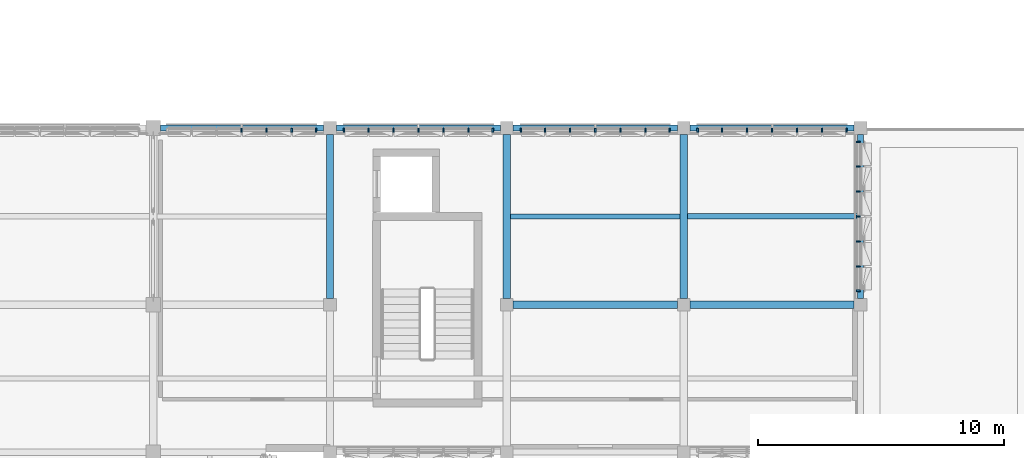
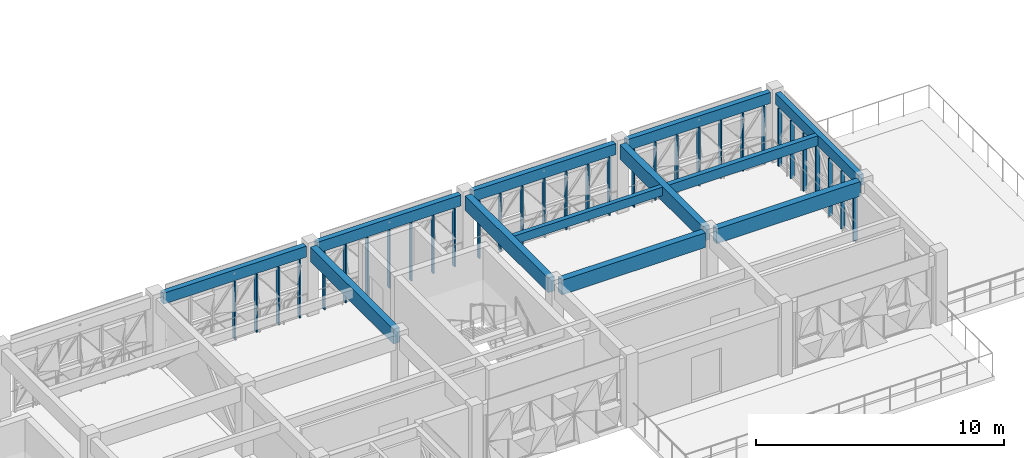
# One storey, part 8 of 74: 32 members, 12 beams, 5 elements without a shape of their own.
"""IFC4 building model written with IfcOpenShell, lengths in metres."""

from ifc_helpers import new_model, si_unit, direction, frame, origin, origin_2d, place, context, subcontext, project, spatial, rectangle, extrude, material, material_profile, profile_set, type_object, element, aggregate, save


model = new_model("IFC4")

# Units and contexts
model_context = context("Model", 3, precision=1e-05, world=origin(), true_north=direction((0.0, 1.0)))
body_context = subcontext(model_context, "Body", "Model", "MODEL_VIEW")
ifc_project = project(units=[si_unit("LENGTHUNIT", "METRE"), si_unit("AREAUNIT", "SQUARE_METRE"), si_unit("VOLUMEUNIT", "CUBIC_METRE"), si_unit("PLANEANGLEUNIT", "RADIAN"), si_unit("MASSUNIT", "GRAM", prefix="KILO")], contexts=[model_context])

# Site, building, storey
site_placement = place(None, origin())
site = spatial("IfcSite", under=ifc_project, at=site_placement, CompositionType="ELEMENT")
building_placement = place(site_placement, origin())
building = spatial("IfcBuilding", under=site, at=building_placement, Name="Alvorim Cloister Faculty of Sciences", CompositionType="ELEMENT")
storey_placement = place(building_placement, frame((0.0, 0.0, 15.75)))
storey = spatial("IfcBuildingStorey", under=building, at=storey_placement, Name="L04", CompositionType="ELEMENT", Elevation=15.75)

# Beams
ifc_material_1 = material(Name="Glulam GL32h", Category="wood")
ifc_material_profile_1 = material_profile(ifc_material_1, rectangle(XDim=0.300048828125, YDim=0.719970703125, at=origin_2d()), Name="GL32-BM-300x720")
ifc_profile_set_1 = profile_set([ifc_material_profile_1], Name="Glulam GL32h")
beam_type_1 = type_object("IfcBeamType", Name="BM-GL-300x720", PredefinedType="BEAM", material=ifc_profile_set_1)
beam_1_placement = place(storey_placement, frame((43.4599609375, 49.199951171875, 3.030029296875), z_axis=(1.0, 0.0, 0.0), x_axis=(0.0, 1.0, 0.0)))
element("IfcBeam", 1, at=beam_1_placement, inside=storey, type_object=beam_type_1, Name="L04 Primary Beam BM-1764", PredefinedType="BEAM", context=body_context, shape_type="SweptSolid", body=[
    extrude(rectangle(XDim=0.300048828125, YDim=0.719970703125, at=origin_2d()), origin(), (0.0, 0.0, 1.0), 6.679931640625),
])
beam_2_placement = place(storey_placement, frame((50.659912109375, 49.199951171875, 3.030029296875), z_axis=(1.0, 0.0, 0.0), x_axis=(0.0, 1.0, 0.0)))
element("IfcBeam", 2, at=beam_2_placement, inside=storey, type_object=beam_type_1, Name="L04 Primary Beam BM-1765", PredefinedType="BEAM", context=body_context, shape_type="SweptSolid", body=[
    extrude(rectangle(XDim=0.300048828125, YDim=0.719970703125, at=origin_2d()), origin(), (0.0, 0.0, 1.0), 6.68017578125),
])
for number, where, z_axis, x_axis, name in (
    (3, (36.0, 49.4599609375, 3.030029296875), (0.0, 1.0, 0.0), (-1.0, 0.0, 0.0), "L04 Primary Girder BM-1856"),
    (4, (43.199951171875, 49.4599609375, 3.030029296875), (0.0, 1.0, 0.0), (-1.0, 0.0, 0.0), "L04 Primary Girder BM-1858"),
    (5, (50.39990234375, 49.4599609375, 3.030029296875), (0.0, 1.0, 0.0), (-1.0, 0.0, 0.0), "L04 Primary Girder BM-1860"),
):
    element("IfcBeam", number, at=place(storey_placement, frame(where, z_axis=z_axis, x_axis=x_axis)), inside=storey, type_object=beam_type_1, Name=name, PredefinedType="BEAM", context=body_context, shape_type="SweptSolid", body=[
        extrude(rectangle(XDim=0.300048828125, YDim=0.719970703125, at=origin_2d()), origin(), (0.0, 0.0, 1.0), 6.679931640625),
    ])
ifc_material_2 = material(Name="Glulam GL28h", Category="wood")
ifc_material_profile_2 = material_profile(ifc_material_2, rectangle(XDim=0.199951171875, YDim=0.419921875, at=origin_2d()), Name="GL28-JST-200x420")
ifc_profile_set_2 = profile_set([ifc_material_profile_2], Name="Glulam GL28h")
beam_type_2 = type_object("IfcBeamType", Name="BM-JST-GL-200x420", PredefinedType="JOIST", material=ifc_profile_set_2)
beam_3_placement = place(storey_placement, frame((43.35009765625, 52.800048828125, 3.179931640625), z_axis=(1.0, 0.0, 0.0), x_axis=(0.0, 1.0, 0.0)))
element("IfcBeam", 6, at=beam_3_placement, inside=storey, type_object=beam_type_2, Name="L04 Secondary Floor Joist BM-1934", PredefinedType="JOIST", context=body_context, shape_type="SweptSolid", body=[
    extrude(rectangle(XDim=0.199951171875, YDim=0.419921875, at=origin_2d()), origin(), (0.0, 0.0, 1.0), 6.89990234375),
])
ifc_material_profile_3 = material_profile(ifc_material_2, rectangle(XDim=0.219970703125, YDim=0.47998046875, at=origin_2d()), Name="GL28-JST-220x480")
ifc_profile_set_3 = profile_set([ifc_material_profile_3], Name="Glulam GL28h")
beam_type_3 = type_object("IfcBeamType", Name="BM-JST-GL-220x480", PredefinedType="JOIST", material=ifc_profile_set_3)
beam_4_placement = place(storey_placement, frame((50.550048828125, 52.800048828125, 3.14990234375), z_axis=(1.0, 0.0, 0.0), x_axis=(0.0, 1.0, 0.0)))
element("IfcBeam", 7, at=beam_4_placement, inside=storey, type_object=beam_type_3, Name="L04 Secondary Floor Joist BM-1936", PredefinedType="JOIST", context=body_context, shape_type="SweptSolid", body=[
    extrude(rectangle(XDim=0.219970703125, YDim=0.47998046875, at=origin_2d()), origin(), (0.0, 0.0, 1.0), 6.929931640625),
])
ifc_material_profile_4 = material_profile(ifc_material_2, rectangle(XDim=0.239990234375, YDim=0.5400390625, at=origin_2d()), Name="GL28-SPD-240x540")
ifc_profile_set_4 = profile_set([ifc_material_profile_4], Name="Glulam GL28h")
beam_type_4 = type_object("IfcBeamType", Name="BM-SPD-GL-240x540", PredefinedType="SPANDREL", material=ifc_profile_set_4)
beam_5_placement = place(storey_placement, frame((29.10009765625, 56.39990234375, 3.1201171875), z_axis=(1.0, 0.0, 0.0), x_axis=(0.0, 1.0, 0.0)))
element("IfcBeam", 8, at=beam_5_placement, inside=storey, type_object=beam_type_4, Name="L04 Primary Beam BM-1767", PredefinedType="SPANDREL", context=body_context, shape_type="SweptSolid", body=[
    extrude(rectangle(XDim=0.239990234375, YDim=0.5400390625, at=origin_2d()), origin(), (0.0, 0.0, 1.0), 6.639892578125),
])
for number, where, z_axis, x_axis, name in (
    (9, (36.260009765625, 56.39990234375, 3.1201171875), (1.0, 0.0, 0.0), (0.0, 1.0, 0.0), "L04 Primary Beam BM-1768"),
    (10, (43.4599609375, 56.39990234375, 3.1201171875), (1.0, 0.0, 0.0), (0.0, 1.0, 0.0), "L04 Primary Beam BM-1769"),
):
    element("IfcBeam", number, at=place(storey_placement, frame(where, z_axis=z_axis, x_axis=x_axis)), inside=storey, type_object=beam_type_4, Name=name, PredefinedType="SPANDREL", context=body_context, shape_type="SweptSolid", body=[
        extrude(rectangle(XDim=0.239990234375, YDim=0.5400390625, at=origin_2d()), origin(), (0.0, 0.0, 1.0), 6.679931640625),
    ])
beam_6_placement = place(storey_placement, frame((50.659912109375, 56.39990234375, 3.1201171875), z_axis=(1.0, 0.0, 0.0), x_axis=(0.0, 1.0, 0.0)))
element("IfcBeam", 11, at=beam_6_placement, inside=storey, type_object=beam_type_4, Name="L04 Primary Beam BM-1770", PredefinedType="SPANDREL", context=body_context, shape_type="SweptSolid", body=[
    extrude(rectangle(XDim=0.239990234375, YDim=0.5400390625, at=origin_2d()), origin(), (0.0, 0.0, 1.0), 6.68017578125),
])
beam_7_placement = place(storey_placement, frame((57.60009765625, 49.4599609375, 3.1201171875), z_axis=(0.0, 1.0, 0.0), x_axis=(-1.0, 0.0, 0.0)))
element("IfcBeam", 12, at=beam_7_placement, inside=storey, type_object=beam_type_4, Name="L04 Primary Girder BM-1862", PredefinedType="SPANDREL", context=body_context, shape_type="SweptSolid", body=[
    extrude(rectangle(XDim=0.239990234375, YDim=0.5400390625, at=origin_2d()), origin(), (0.0, 0.0, 1.0), 6.679931640625),
])

# Curtain wall, members
ifc_material_3 = material(Name="Aluminium and Low-E Glass Curtain Wall", Category="aluminium")
curtain_wall_type = type_object("IfcCurtainWallType", Name="CW-TRI-6120x2850", PredefinedType="USERDEFINED", material=ifc_material_3)
curtain_wall_1_placement = place(storey_placement, origin())
curtain_wall_1 = element("IfcCurtainWall", 13, at=curtain_wall_1_placement, inside=storey, type_object=curtain_wall_type, Name="L04 Diagonal Cassette Curtain Wall CW-0190", ObjectType="UNITISED CURTAIN WALL", PredefinedType="USERDEFINED")
ifc_material_4 = material(Name="Aluminium Alloy 6063-T6", Category="aluminium")
ifc_material_profile_5 = material_profile(ifc_material_4, rectangle(XDim=0.06494140625, YDim=0.179931640625, at=origin_2d()), Name="ALU-MUL-65x180")
ifc_profile_set_5 = profile_set([ifc_material_profile_5], Name="Aluminium Alloy 6063-T6")
member_type = type_object("IfcMemberType", Name="CW-MUL-65x180", PredefinedType="MULLION", material=ifc_profile_set_5)
member_1_placement = place(storey_placement, frame((32.39990234375, 56.31005859375, 0.0), z_axis=(0.0, 0.0, 1.0), x_axis=(1.0, 0.0, 0.0)))
member_1 = element("IfcMember", 14, at=member_1_placement, type_object=member_type, Name="CW-0190 Mullion 4", PredefinedType="MULLION", context=body_context, shape_type="SweptSolid", body=[
    extrude(rectangle(XDim=0.06494140625, YDim=0.179931640625, at=origin_2d()), origin(), (0.0, 0.0, 1.0), 2.85009765625),
])
member_2_placement = place(storey_placement, frame((33.419921875, 56.31005859375, 0.0), z_axis=(0.0, 0.0, 1.0), x_axis=(1.0, 0.0, 0.0)))
member_2 = element("IfcMember", 15, at=member_2_placement, type_object=member_type, Name="CW-0190 Mullion 5", PredefinedType="MULLION", context=body_context, shape_type="SweptSolid", body=[
    extrude(rectangle(XDim=0.06494140625, YDim=0.179931640625, at=origin_2d()), origin(), (0.0, 0.0, 1.0), 2.85009765625),
])
member_3_placement = place(storey_placement, frame((34.43994140625, 56.31005859375, 0.0), z_axis=(0.0, 0.0, 1.0), x_axis=(1.0, 0.0, 0.0)))
member_3 = element("IfcMember", 16, at=member_3_placement, type_object=member_type, Name="CW-0190 Mullion 6", PredefinedType="MULLION", context=body_context, shape_type="SweptSolid", body=[
    extrude(rectangle(XDim=0.06494140625, YDim=0.179931640625, at=origin_2d()), origin(), (0.0, 0.0, 1.0), 2.85009765625),
])
member_4_placement = place(storey_placement, frame((35.427490234375, 56.31005859375, 0.0), z_axis=(0.0, 0.0, 1.0), x_axis=(1.0, 0.0, 0.0)))
member_4 = element("IfcMember", 17, at=member_4_placement, type_object=member_type, Name="CW-0190 Mullion 7", PredefinedType="MULLION", context=body_context, shape_type="SweptSolid", body=[
    extrude(rectangle(XDim=0.06494140625, YDim=0.179931640625, at=origin_2d()), origin(), (0.0, 0.0, 1.0), 2.85009765625),
])
aggregate(curtain_wall_1, [member_1, member_2, member_3, member_4])

curtain_wall_2_placement = place(storey_placement, origin())
curtain_wall_2 = element("IfcCurtainWall", 18, at=curtain_wall_2_placement, inside=storey, type_object=curtain_wall_type, Name="L04 Diagonal Cassette Curtain Wall CW-0191", ObjectType="UNITISED CURTAIN WALL", PredefinedType="USERDEFINED")
member_5_placement = place(storey_placement, frame((36.572509765625, 56.31005859375, 0.0), z_axis=(0.0, 0.0, 1.0), x_axis=(1.0, 0.0, 0.0)))
member_5 = element("IfcMember", 19, at=member_5_placement, type_object=member_type, Name="CW-0191 Mullion 1", PredefinedType="MULLION", context=body_context, shape_type="SweptSolid", body=[
    extrude(rectangle(XDim=0.06494140625, YDim=0.179931640625, at=origin_2d()), origin(), (0.0, 0.0, 1.0), 2.85009765625),
])
member_6_placement = place(storey_placement, frame((37.56005859375, 56.31005859375, 0.0), z_axis=(0.0, 0.0, 1.0), x_axis=(1.0, 0.0, 0.0)))
member_6 = element("IfcMember", 20, at=member_6_placement, type_object=member_type, Name="CW-0191 Mullion 2", PredefinedType="MULLION", context=body_context, shape_type="SweptSolid", body=[
    extrude(rectangle(XDim=0.06494140625, YDim=0.179931640625, at=origin_2d()), origin(), (0.0, 0.0, 1.0), 2.85009765625),
])
member_7_placement = place(storey_placement, frame((38.580078125, 56.31005859375, 0.0), z_axis=(0.0, 0.0, 1.0), x_axis=(1.0, 0.0, 0.0)))
member_7 = element("IfcMember", 21, at=member_7_placement, type_object=member_type, Name="CW-0191 Mullion 3", PredefinedType="MULLION", context=body_context, shape_type="SweptSolid", body=[
    extrude(rectangle(XDim=0.06494140625, YDim=0.179931640625, at=origin_2d()), origin(), (0.0, 0.0, 1.0), 2.85009765625),
])
member_8_placement = place(storey_placement, frame((39.60009765625, 56.31005859375, 0.0), z_axis=(0.0, 0.0, 1.0), x_axis=(1.0, 0.0, 0.0)))
member_8 = element("IfcMember", 22, at=member_8_placement, type_object=member_type, Name="CW-0191 Mullion 4", PredefinedType="MULLION", context=body_context, shape_type="SweptSolid", body=[
    extrude(rectangle(XDim=0.06494140625, YDim=0.179931640625, at=origin_2d()), origin(), (0.0, 0.0, 1.0), 2.85009765625),
])
member_9_placement = place(storey_placement, frame((40.6201171875, 56.31005859375, 0.0), z_axis=(0.0, 0.0, 1.0), x_axis=(1.0, 0.0, 0.0)))
member_9 = element("IfcMember", 23, at=member_9_placement, type_object=member_type, Name="CW-0191 Mullion 5", PredefinedType="MULLION", context=body_context, shape_type="SweptSolid", body=[
    extrude(rectangle(XDim=0.06494140625, YDim=0.179931640625, at=origin_2d()), origin(), (0.0, 0.0, 1.0), 2.85009765625),
])
member_10_placement = place(storey_placement, frame((41.639892578125, 56.31005859375, 0.0), z_axis=(0.0, 0.0, 1.0), x_axis=(1.0, 0.0, 0.0)))
member_10 = element("IfcMember", 24, at=member_10_placement, type_object=member_type, Name="CW-0191 Mullion 6", PredefinedType="MULLION", context=body_context, shape_type="SweptSolid", body=[
    extrude(rectangle(XDim=0.06494140625, YDim=0.179931640625, at=origin_2d()), origin(), (0.0, 0.0, 1.0), 2.85009765625),
])
member_11_placement = place(storey_placement, frame((42.62744140625, 56.31005859375, 0.0), z_axis=(0.0, 0.0, 1.0), x_axis=(1.0, 0.0, 0.0)))
member_11 = element("IfcMember", 25, at=member_11_placement, type_object=member_type, Name="CW-0191 Mullion 7", PredefinedType="MULLION", context=body_context, shape_type="SweptSolid", body=[
    extrude(rectangle(XDim=0.06494140625, YDim=0.179931640625, at=origin_2d()), origin(), (0.0, 0.0, 1.0), 2.85009765625),
])
aggregate(curtain_wall_2, [member_5, member_6, member_7, member_8, member_9, member_10, member_11])

curtain_wall_3_placement = place(storey_placement, origin())
curtain_wall_3 = element("IfcCurtainWall", 26, at=curtain_wall_3_placement, inside=storey, type_object=curtain_wall_type, Name="L04 Diagonal Cassette Curtain Wall CW-0192", ObjectType="UNITISED CURTAIN WALL", PredefinedType="USERDEFINED")
member_12_placement = place(storey_placement, frame((43.7724609375, 56.31005859375, 0.0), z_axis=(0.0, 0.0, 1.0), x_axis=(1.0, 0.0, 0.0)))
member_12 = element("IfcMember", 27, at=member_12_placement, type_object=member_type, Name="CW-0192 Mullion 1", PredefinedType="MULLION", context=body_context, shape_type="SweptSolid", body=[
    extrude(rectangle(XDim=0.06494140625, YDim=0.179931640625, at=origin_2d()), origin(), (0.0, 0.0, 1.0), 2.85009765625),
])
member_13_placement = place(storey_placement, frame((44.760009765625, 56.31005859375, 0.0), z_axis=(0.0, 0.0, 1.0), x_axis=(1.0, 0.0, 0.0)))
member_13 = element("IfcMember", 28, at=member_13_placement, type_object=member_type, Name="CW-0192 Mullion 2", PredefinedType="MULLION", context=body_context, shape_type="SweptSolid", body=[
    extrude(rectangle(XDim=0.06494140625, YDim=0.179931640625, at=origin_2d()), origin(), (0.0, 0.0, 1.0), 2.85009765625),
])
member_14_placement = place(storey_placement, frame((45.780029296875, 56.31005859375, 0.0), z_axis=(0.0, 0.0, 1.0), x_axis=(1.0, 0.0, 0.0)))
member_14 = element("IfcMember", 29, at=member_14_placement, type_object=member_type, Name="CW-0192 Mullion 3", PredefinedType="MULLION", context=body_context, shape_type="SweptSolid", body=[
    extrude(rectangle(XDim=0.06494140625, YDim=0.179931640625, at=origin_2d()), origin(), (0.0, 0.0, 1.0), 2.85009765625),
])
member_15_placement = place(storey_placement, frame((46.800048828125, 56.31005859375, 0.0), z_axis=(0.0, 0.0, 1.0), x_axis=(1.0, 0.0, 0.0)))
member_15 = element("IfcMember", 30, at=member_15_placement, type_object=member_type, Name="CW-0192 Mullion 4", PredefinedType="MULLION", context=body_context, shape_type="SweptSolid", body=[
    extrude(rectangle(XDim=0.06494140625, YDim=0.179931640625, at=origin_2d()), origin(), (0.0, 0.0, 1.0), 2.85009765625),
])
member_16_placement = place(storey_placement, frame((47.820068359375, 56.31005859375, 0.0), z_axis=(0.0, 0.0, 1.0), x_axis=(1.0, 0.0, 0.0)))
member_16 = element("IfcMember", 31, at=member_16_placement, type_object=member_type, Name="CW-0192 Mullion 5", PredefinedType="MULLION", context=body_context, shape_type="SweptSolid", body=[
    extrude(rectangle(XDim=0.06494140625, YDim=0.179931640625, at=origin_2d()), origin(), (0.0, 0.0, 1.0), 2.85009765625),
])
member_17_placement = place(storey_placement, frame((48.840087890625, 56.31005859375, 0.0), z_axis=(0.0, 0.0, 1.0), x_axis=(1.0, 0.0, 0.0)))
member_17 = element("IfcMember", 32, at=member_17_placement, type_object=member_type, Name="CW-0192 Mullion 6", PredefinedType="MULLION", context=body_context, shape_type="SweptSolid", body=[
    extrude(rectangle(XDim=0.06494140625, YDim=0.179931640625, at=origin_2d()), origin(), (0.0, 0.0, 1.0), 2.85009765625),
])
member_18_placement = place(storey_placement, frame((49.827392578125, 56.31005859375, 0.0), z_axis=(0.0, 0.0, 1.0), x_axis=(1.0, 0.0, 0.0)))
member_18 = element("IfcMember", 33, at=member_18_placement, type_object=member_type, Name="CW-0192 Mullion 7", PredefinedType="MULLION", context=body_context, shape_type="SweptSolid", body=[
    extrude(rectangle(XDim=0.06494140625, YDim=0.179931640625, at=origin_2d()), origin(), (0.0, 0.0, 1.0), 2.85009765625),
])
aggregate(curtain_wall_3, [member_12, member_13, member_14, member_15, member_16, member_17, member_18])

curtain_wall_4_placement = place(storey_placement, origin())
curtain_wall_4 = element("IfcCurtainWall", 34, at=curtain_wall_4_placement, inside=storey, type_object=curtain_wall_type, Name="L04 Diagonal Cassette Curtain Wall CW-0193", ObjectType="UNITISED CURTAIN WALL", PredefinedType="USERDEFINED")
member_19_placement = place(storey_placement, frame((50.972412109375, 56.31005859375, 0.0), z_axis=(0.0, 0.0, 1.0), x_axis=(1.0, 0.0, 0.0)))
member_19 = element("IfcMember", 35, at=member_19_placement, type_object=member_type, Name="CW-0193 Mullion 1", PredefinedType="MULLION", context=body_context, shape_type="SweptSolid", body=[
    extrude(rectangle(XDim=0.06494140625, YDim=0.179931640625, at=origin_2d()), origin(), (0.0, 0.0, 1.0), 2.85009765625),
])
member_20_placement = place(storey_placement, frame((51.9599609375, 56.31005859375, 0.0), z_axis=(0.0, 0.0, 1.0), x_axis=(1.0, 0.0, 0.0)))
member_20 = element("IfcMember", 36, at=member_20_placement, type_object=member_type, Name="CW-0193 Mullion 2", PredefinedType="MULLION", context=body_context, shape_type="SweptSolid", body=[
    extrude(rectangle(XDim=0.06494140625, YDim=0.179931640625, at=origin_2d()), origin(), (0.0, 0.0, 1.0), 2.85009765625),
])
member_21_placement = place(storey_placement, frame((52.97998046875, 56.31005859375, 0.0), z_axis=(0.0, 0.0, 1.0), x_axis=(1.0, 0.0, 0.0)))
member_21 = element("IfcMember", 37, at=member_21_placement, type_object=member_type, Name="CW-0193 Mullion 3", PredefinedType="MULLION", context=body_context, shape_type="SweptSolid", body=[
    extrude(rectangle(XDim=0.06494140625, YDim=0.179931640625, at=origin_2d()), origin(), (0.0, 0.0, 1.0), 2.85009765625),
])
member_22_placement = place(storey_placement, frame((54.0, 56.31005859375, 0.0), z_axis=(0.0, 0.0, 1.0), x_axis=(1.0, 0.0, 0.0)))
member_22 = element("IfcMember", 38, at=member_22_placement, type_object=member_type, Name="CW-0193 Mullion 4", PredefinedType="MULLION", context=body_context, shape_type="SweptSolid", body=[
    extrude(rectangle(XDim=0.06494140625, YDim=0.179931640625, at=origin_2d()), origin(), (0.0, 0.0, 1.0), 2.85009765625),
])
member_23_placement = place(storey_placement, frame((55.02001953125, 56.31005859375, 0.0), z_axis=(0.0, 0.0, 1.0), x_axis=(1.0, 0.0, 0.0)))
member_23 = element("IfcMember", 39, at=member_23_placement, type_object=member_type, Name="CW-0193 Mullion 5", PredefinedType="MULLION", context=body_context, shape_type="SweptSolid", body=[
    extrude(rectangle(XDim=0.06494140625, YDim=0.179931640625, at=origin_2d()), origin(), (0.0, 0.0, 1.0), 2.85009765625),
])
member_24_placement = place(storey_placement, frame((56.0400390625, 56.31005859375, 0.0), z_axis=(0.0, 0.0, 1.0), x_axis=(1.0, 0.0, 0.0)))
member_24 = element("IfcMember", 40, at=member_24_placement, type_object=member_type, Name="CW-0193 Mullion 6", PredefinedType="MULLION", context=body_context, shape_type="SweptSolid", body=[
    extrude(rectangle(XDim=0.06494140625, YDim=0.179931640625, at=origin_2d()), origin(), (0.0, 0.0, 1.0), 2.85009765625),
])
member_25_placement = place(storey_placement, frame((57.027587890625, 56.31005859375, 0.0), z_axis=(0.0, 0.0, 1.0), x_axis=(1.0, 0.0, 0.0)))
member_25 = element("IfcMember", 41, at=member_25_placement, type_object=member_type, Name="CW-0193 Mullion 7", PredefinedType="MULLION", context=body_context, shape_type="SweptSolid", body=[
    extrude(rectangle(XDim=0.06494140625, YDim=0.179931640625, at=origin_2d()), origin(), (0.0, 0.0, 1.0), 2.85009765625),
])
aggregate(curtain_wall_4, [member_19, member_20, member_21, member_22, member_23, member_24, member_25])

curtain_wall_5_placement = place(storey_placement, origin())
curtain_wall_5 = element("IfcCurtainWall", 42, at=curtain_wall_5_placement, inside=storey, type_object=curtain_wall_type, Name="L04 Diagonal Cassette Curtain Wall CW-0194", ObjectType="UNITISED CURTAIN WALL", PredefinedType="USERDEFINED")
member_26_placement = place(storey_placement, frame((57.510009765625, 49.7724609375, 0.0), z_axis=(0.0, 0.0, 1.0), x_axis=(0.0, 1.0, 0.0)))
member_26 = element("IfcMember", 43, at=member_26_placement, type_object=member_type, Name="CW-0194 Mullion 1", PredefinedType="MULLION", context=body_context, shape_type="SweptSolid", body=[
    extrude(rectangle(XDim=0.06494140625, YDim=0.179931640625, at=origin_2d()), origin(), (0.0, 0.0, 1.0), 2.85009765625),
])
member_27_placement = place(storey_placement, frame((57.510009765625, 50.760009765625, 0.0), z_axis=(0.0, 0.0, 1.0), x_axis=(0.0, 1.0, 0.0)))
member_27 = element("IfcMember", 44, at=member_27_placement, type_object=member_type, Name="CW-0194 Mullion 2", PredefinedType="MULLION", context=body_context, shape_type="SweptSolid", body=[
    extrude(rectangle(XDim=0.06494140625, YDim=0.179931640625, at=origin_2d()), origin(), (0.0, 0.0, 1.0), 2.85009765625),
])
member_28_placement = place(storey_placement, frame((57.510009765625, 51.780029296875, 0.0), z_axis=(0.0, 0.0, 1.0), x_axis=(0.0, 1.0, 0.0)))
member_28 = element("IfcMember", 45, at=member_28_placement, type_object=member_type, Name="CW-0194 Mullion 3", PredefinedType="MULLION", context=body_context, shape_type="SweptSolid", body=[
    extrude(rectangle(XDim=0.06494140625, YDim=0.179931640625, at=origin_2d()), origin(), (0.0, 0.0, 1.0), 2.85009765625),
])
member_29_placement = place(storey_placement, frame((57.510009765625, 52.800048828125, 0.0), z_axis=(0.0, 0.0, 1.0), x_axis=(0.0, 1.0, 0.0)))
member_29 = element("IfcMember", 46, at=member_29_placement, type_object=member_type, Name="CW-0194 Mullion 4", PredefinedType="MULLION", context=body_context, shape_type="SweptSolid", body=[
    extrude(rectangle(XDim=0.06494140625, YDim=0.179931640625, at=origin_2d()), origin(), (0.0, 0.0, 1.0), 2.85009765625),
])
member_30_placement = place(storey_placement, frame((57.510009765625, 53.820068359375, 0.0), z_axis=(0.0, 0.0, 1.0), x_axis=(0.0, 1.0, 0.0)))
member_30 = element("IfcMember", 47, at=member_30_placement, type_object=member_type, Name="CW-0194 Mullion 5", PredefinedType="MULLION", context=body_context, shape_type="SweptSolid", body=[
    extrude(rectangle(XDim=0.06494140625, YDim=0.179931640625, at=origin_2d()), origin(), (0.0, 0.0, 1.0), 2.85009765625),
])
member_31_placement = place(storey_placement, frame((57.510009765625, 54.840087890625, 0.0), z_axis=(0.0, 0.0, 1.0), x_axis=(0.0, 1.0, 0.0)))
member_31 = element("IfcMember", 48, at=member_31_placement, type_object=member_type, Name="CW-0194 Mullion 6", PredefinedType="MULLION", context=body_context, shape_type="SweptSolid", body=[
    extrude(rectangle(XDim=0.06494140625, YDim=0.179931640625, at=origin_2d()), origin(), (0.0, 0.0, 1.0), 2.85009765625),
])
member_32_placement = place(storey_placement, frame((57.510009765625, 55.827392578125, 0.0), z_axis=(0.0, 0.0, 1.0), x_axis=(0.0, 1.0, 0.0)))
member_32 = element("IfcMember", 49, at=member_32_placement, type_object=member_type, Name="CW-0194 Mullion 7", PredefinedType="MULLION", context=body_context, shape_type="SweptSolid", body=[
    extrude(rectangle(XDim=0.06494140625, YDim=0.179931640625, at=origin_2d()), origin(), (0.0, 0.0, 1.0), 2.85009765625),
])
aggregate(curtain_wall_5, [member_26, member_27, member_28, member_29, member_30, member_31, member_32])

save(model, "model.ifc")
